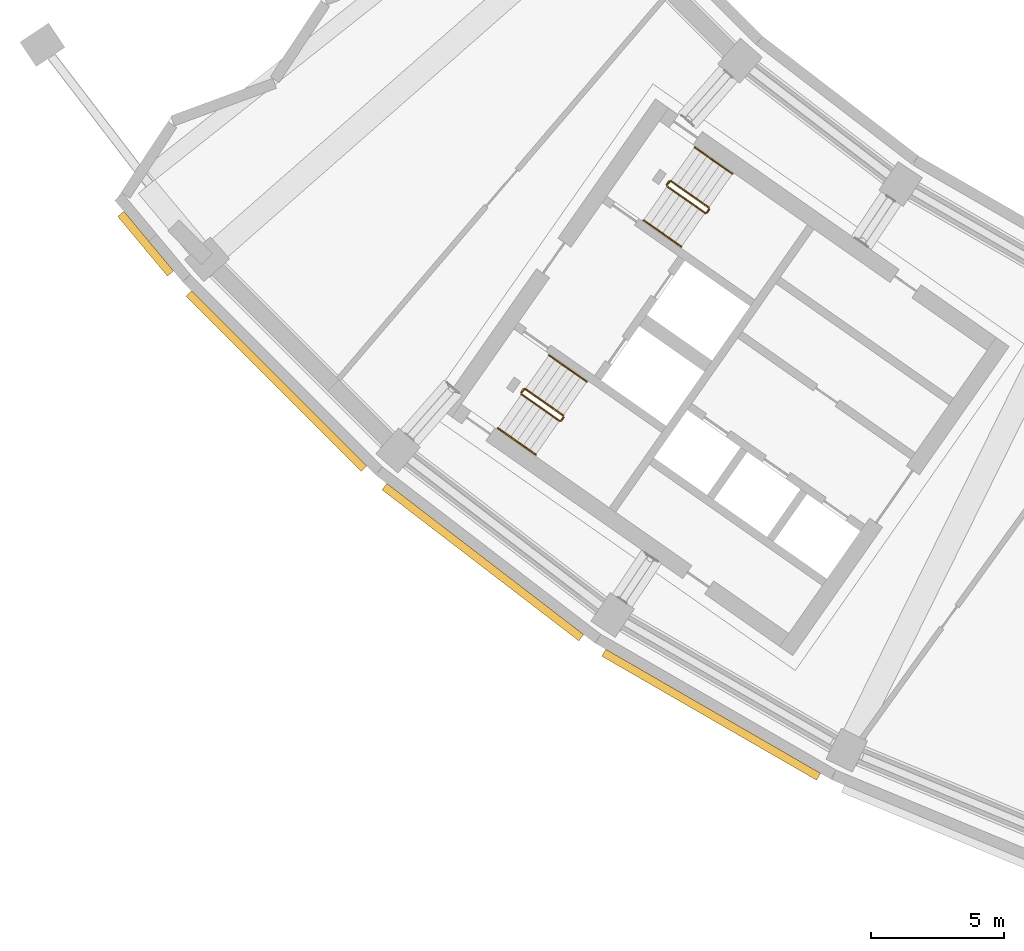
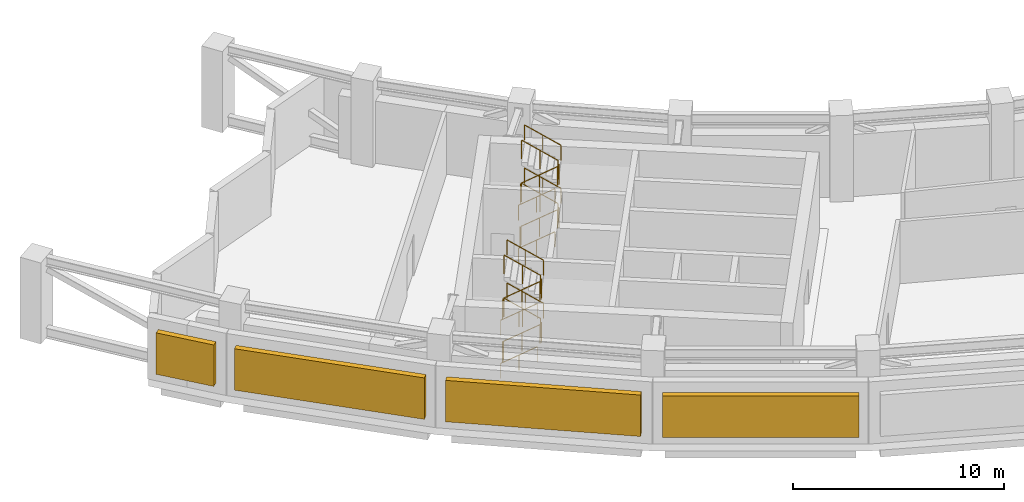
# One storey, part 21 of 24: 18 railings, 4 shading devices.
"""IFC4 building model written with IfcOpenShell, lengths in metres."""

from ifc_helpers import new_model, si_unit, direction, frame, origin, origin_2d, place, context, subcontext, project, spatial, rectangle, circle, extrude, material, type_object, element, save


model = new_model("IFC4")

# Units and contexts
model_context = context("Model", 3, precision=1e-05, world=origin(), true_north=direction((0.0, 1.0)))
body_context = subcontext(model_context, "Body", "Model", "MODEL_VIEW")
ifc_project = project(units=[si_unit("LENGTHUNIT", "METRE"), si_unit("AREAUNIT", "SQUARE_METRE"), si_unit("VOLUMEUNIT", "CUBIC_METRE"), si_unit("PLANEANGLEUNIT", "RADIAN"), si_unit("MASSUNIT", "GRAM", prefix="KILO")], contexts=[model_context])

# Site, building, storey
site_placement = place(None, origin())
site = spatial("IfcSite", under=ifc_project, at=site_placement, CompositionType="ELEMENT")
building_placement = place(site_placement, origin())
building = spatial("IfcBuilding", under=site, at=building_placement, Name="Qamariyya Broadcast Tower", CompositionType="ELEMENT")
storey_placement = place(building_placement, frame((0.0, 0.0, 198.699951171875)))
storey = spatial("IfcBuildingStorey", under=building, at=storey_placement, Name="L47", CompositionType="ELEMENT", Elevation=198.699951171875)

# Railings
ifc_material_1 = material(Name="Painted steel", Category="steel")
railing_type_1 = type_object("IfcRailingType", Name="Stair guard", PredefinedType="GUARDRAIL", material=ifc_material_1)
railing_1_placement = place(storey_placement, frame((-41.146728515625, -48.52490234375, 0.1787109375)))
element("IfcRailing", 1, at=railing_1_placement, inside=storey, type_object=railing_type_1, Name="L47 ST-W2 stair guard 1", PredefinedType="GUARDRAIL", context=body_context, shape_type="SweptSolid", body=[
    extrude(circle(Radius=0.02392578125, at=origin_2d()), frame((0.0, 0.0, 1.076171875), z_axis=(0.697532699334, -0.488440163562, 0.524284598266), x_axis=(0.573594173421, 0.819139624372, 0.0)), (0.0, 0.0, 1.0), 2.04345703125),
    extrude(circle(Radius=0.02392578125, at=origin_2d()), frame((1.42529296875, -0.998046875, 2.1474609375), z_axis=(0.984470095537, 0.175552359694, 0.0), x_axis=(-0.175552359694, 0.984470095537, 0.0)), (0.0, 0.0, 1.0), 0.071044921875),
    extrude(circle(Radius=0.02392578125, at=origin_2d()), frame((1.4951171875, -0.985595703125, 2.1474609375), z_axis=(0.573353020881, 0.819308436089, 0.0), x_axis=(-0.819308436089, 0.573353020881, 0.0)), (0.0, 0.0, 1.0), 0.14990234375),
    extrude(circle(Radius=0.02099609375, at=origin_2d()), origin(), (0.0, 0.0, 1.0), 1.052001953125),
    extrude(circle(Radius=0.02099609375, at=origin_2d()), frame((0.712646484375, -0.4990234375, 0.53564453125)), (0.0, 0.0, 1.0), 1.052001953125),
    extrude(circle(Radius=0.02099609375, at=origin_2d()), frame((1.42529296875, -0.998046875, 1.0712890625)), (0.0, 0.0, 1.0), 1.052001953125),
    extrude(circle(Radius=0.02099609375, at=origin_2d()), frame((1.4951171875, -0.985595703125, 1.0712890625)), (0.0, 0.0, 1.0), 1.052001953125),
    extrude(circle(Radius=0.02099609375, at=origin_2d()), frame((1.5810546875, -0.86279296875, 1.0712890625)), (0.0, 0.0, 1.0), 1.052001953125),
])
railing_2_placement = place(storey_placement, frame((-39.577880859375, -49.318115234375, 1.4287109375)))
element("IfcRailing", 2, at=railing_2_placement, inside=storey, type_object=railing_type_1, Name="L47 ST-W2 stair guard 2", PredefinedType="GUARDRAIL", context=body_context, shape_type="SweptSolid", body=[
    extrude(circle(Radius=0.02392578125, at=origin_2d()), frame((0.0, 0.0, 1.076171875), z_axis=(-0.697532699334, 0.488440163562, 0.524284598266), x_axis=(-0.573594173421, -0.819139624372, 0.0)), (0.0, 0.0, 1.0), 2.04345703125),
    extrude(circle(Radius=0.02392578125, at=origin_2d()), frame((-1.42529296875, 0.998046875, 2.1474609375), z_axis=(-0.755063954535, -0.655651145474, 0.0), x_axis=(0.655651145474, -0.755063954535, 0.0)), (0.0, 0.0, 1.0), 0.206298828125),
    extrude(circle(Radius=0.02392578125, at=origin_2d()), frame((-1.5810546875, 0.86279296875, 2.1474609375), z_axis=(0.572588637393, 0.819842821722, 0.0), x_axis=(-0.819842821722, 0.572588637393, 0.0)), (0.0, 0.0, 1.0), 0.150146484375),
    extrude(circle(Radius=0.02099609375, at=origin_2d()), origin(), (0.0, 0.0, 1.0), 1.052001953125),
    extrude(circle(Radius=0.02099609375, at=origin_2d()), frame((-0.712646484375, 0.4990234375, 0.53564453125)), (0.0, 0.0, 1.0), 1.052001953125),
    extrude(circle(Radius=0.02099609375, at=origin_2d()), frame((-1.42529296875, 0.998046875, 1.0712890625)), (0.0, 0.0, 1.0), 1.052001953125),
    extrude(circle(Radius=0.02099609375, at=origin_2d()), frame((-1.5810546875, 0.86279296875, 1.0712890625)), (0.0, 0.0, 1.0), 1.052001953125),
    extrude(circle(Radius=0.02099609375, at=origin_2d()), frame((-1.4951171875, 0.98583984375, 1.0712890625)), (0.0, 0.0, 1.0), 1.052001953125),
])
railing_3_placement = place(storey_placement, frame((-41.146728515625, -48.52490234375, 2.6787109375)))
element("IfcRailing", 3, at=railing_3_placement, inside=storey, type_object=railing_type_1, Name="L47 ST-W2 stair guard 3", PredefinedType="GUARDRAIL", context=body_context, shape_type="SweptSolid", body=[
    extrude(circle(Radius=0.02392578125, at=origin_2d()), frame((0.0, 0.0, 1.076171875), z_axis=(0.697532699334, -0.488440163562, 0.524284598266), x_axis=(0.573594173421, 0.819139624372, 0.0)), (0.0, 0.0, 1.0), 2.04345703125),
    extrude(circle(Radius=0.02392578125, at=origin_2d()), frame((1.42529296875, -0.998046875, 2.1474609375), z_axis=(0.984470095537, 0.175552359694, 0.0), x_axis=(-0.175552359694, 0.984470095537, 0.0)), (0.0, 0.0, 1.0), 0.071044921875),
    extrude(circle(Radius=0.02392578125, at=origin_2d()), frame((1.4951171875, -0.985595703125, 2.1474609375), z_axis=(0.573353020881, 0.819308436089, 0.0), x_axis=(-0.819308436089, 0.573353020881, 0.0)), (0.0, 0.0, 1.0), 0.14990234375),
    extrude(circle(Radius=0.02099609375, at=origin_2d()), origin(), (0.0, 0.0, 1.0), 1.052001953125),
    extrude(circle(Radius=0.02099609375, at=origin_2d()), frame((0.712646484375, -0.4990234375, 0.53564453125)), (0.0, 0.0, 1.0), 1.052001953125),
    extrude(circle(Radius=0.02099609375, at=origin_2d()), frame((1.42529296875, -0.998046875, 1.0712890625)), (0.0, 0.0, 1.0), 1.052001953125),
    extrude(circle(Radius=0.02099609375, at=origin_2d()), frame((1.4951171875, -0.985595703125, 1.0712890625)), (0.0, 0.0, 1.0), 1.052001953125),
    extrude(circle(Radius=0.02099609375, at=origin_2d()), frame((1.5810546875, -0.86279296875, 1.0712890625)), (0.0, 0.0, 1.0), 1.052001953125),
])
railing_4_placement = place(storey_placement, frame((-39.577880859375, -49.318115234375, 3.9287109375)))
element("IfcRailing", 4, at=railing_4_placement, inside=storey, type_object=railing_type_1, Name="L47 ST-W2 stair guard 4", PredefinedType="GUARDRAIL", context=body_context, shape_type="SweptSolid", body=[
    extrude(circle(Radius=0.02392578125, at=origin_2d()), frame((0.0, 0.0, 1.076171875), z_axis=(-0.697532699334, 0.488440163562, 0.524284598266), x_axis=(-0.573594173421, -0.819139624372, 0.0)), (0.0, 0.0, 1.0), 2.04345703125),
    extrude(circle(Radius=0.02099609375, at=origin_2d()), origin(), (0.0, 0.0, 1.0), 1.052001953125),
    extrude(circle(Radius=0.02099609375, at=origin_2d()), frame((-0.712646484375, 0.4990234375, 0.53564453125)), (0.0, 0.0, 1.0), 1.052001953125),
    extrude(circle(Radius=0.02099609375, at=origin_2d()), frame((-1.42529296875, 0.998046875, 1.0712890625)), (0.0, 0.0, 1.0), 1.052001953125),
])
railing_5_placement = place(storey_placement, frame((-41.158935546875, -48.455322265625, 0.0)))
element("IfcRailing", 5, at=railing_5_placement, inside=storey, type_object=railing_type_1, Name="L47 ST-W2 stair guard 5", PredefinedType="GUARDRAIL", context=body_context, shape_type="SweptSolid", body=[
    extrude(circle(Radius=0.02392578125, at=origin_2d()), frame((0.0, 0.0, 1.076171875), z_axis=(0.572588637393, 0.819842821722, 0.0), x_axis=(-0.819842821722, 0.572588637393, 0.0)), (0.0, 0.0, 1.0), 0.150146484375),
    extrude(circle(Radius=0.02099609375, at=origin_2d()), origin(), (0.0, 0.0, 1.0), 1.052001953125),
    extrude(circle(Radius=0.02099609375, at=origin_2d()), frame((0.0859375, 0.123046875, 0.0)), (0.0, 0.0, 1.0), 1.052001953125),
])
railing_6_placement = place(storey_placement, frame((-46.624267578125, -56.34765625, 0.1787109375)))
element("IfcRailing", 6, at=railing_6_placement, inside=storey, type_object=railing_type_1, Name="L47 ST-W1 stair guard 1", PredefinedType="GUARDRAIL", context=body_context, shape_type="SweptSolid", body=[
    extrude(circle(Radius=0.02392578125, at=origin_2d()), frame((0.0, 0.0, 1.076171875), z_axis=(0.697532699334, -0.488440163562, 0.524284598266), x_axis=(0.573594173421, 0.819139624372, 0.0)), (0.0, 0.0, 1.0), 2.04345703125),
    extrude(circle(Radius=0.02392578125, at=origin_2d()), frame((1.42529296875, -0.998046875, 2.1474609375), z_axis=(0.984957024646, 0.172799478008, 0.0), x_axis=(-0.172799478008, 0.984957024646, 0.0)), (0.0, 0.0, 1.0), 0.070556640625),
    extrude(circle(Radius=0.02392578125, at=origin_2d()), frame((1.494873046875, -0.98583984375, 2.1474609375), z_axis=(0.574444878118, 0.818543268254, 0.0), x_axis=(-0.818543268254, 0.574444878118, 0.0)), (0.0, 0.0, 1.0), 0.150146484375),
    extrude(circle(Radius=0.02099609375, at=origin_2d()), origin(), (0.0, 0.0, 1.0), 1.052001953125),
    extrude(circle(Radius=0.02099609375, at=origin_2d()), frame((0.712646484375, -0.4990234375, 0.53564453125)), (0.0, 0.0, 1.0), 1.052001953125),
    extrude(circle(Radius=0.02099609375, at=origin_2d()), frame((1.42529296875, -0.998046875, 1.0712890625)), (0.0, 0.0, 1.0), 1.052001953125),
    extrude(circle(Radius=0.02099609375, at=origin_2d()), frame((1.494873046875, -0.98583984375, 1.0712890625)), (0.0, 0.0, 1.0), 1.052001953125),
    extrude(circle(Radius=0.02099609375, at=origin_2d()), frame((1.5810546875, -0.863037109375, 1.0712890625)), (0.0, 0.0, 1.0), 1.052001953125),
])
railing_7_placement = place(storey_placement, frame((-45.0556640625, -57.14111328125, 1.4287109375)))
element("IfcRailing", 7, at=railing_7_placement, inside=storey, type_object=railing_type_1, Name="L47 ST-W1 stair guard 2", PredefinedType="GUARDRAIL", context=body_context, shape_type="SweptSolid", body=[
    extrude(circle(Radius=0.02392578125, at=origin_2d()), frame((0.0, 0.0, 1.076171875), z_axis=(-0.697532699334, 0.488440163562, 0.524284598266), x_axis=(-0.573594173421, -0.819139624372, 0.0)), (0.0, 0.0, 1.0), 2.04345703125),
    extrude(circle(Radius=0.02392578125, at=origin_2d()), frame((-1.42529296875, 0.998046875, 2.1474609375), z_axis=(-0.755650002112, -0.65497562879, 0.0), x_axis=(0.65497562879, -0.755650002112, 0.0)), (0.0, 0.0, 1.0), 0.2060546875),
    extrude(circle(Radius=0.02392578125, at=origin_2d()), frame((-1.5810546875, 0.863037109375, 2.1474609375), z_axis=(0.574444878118, 0.818543268254, 0.0), x_axis=(-0.818543268254, 0.574444878118, 0.0)), (0.0, 0.0, 1.0), 0.150146484375),
    extrude(circle(Radius=0.02099609375, at=origin_2d()), origin(), (0.0, 0.0, 1.0), 1.052001953125),
    extrude(circle(Radius=0.02099609375, at=origin_2d()), frame((-0.712646484375, 0.4990234375, 0.53564453125)), (0.0, 0.0, 1.0), 1.052001953125),
    extrude(circle(Radius=0.02099609375, at=origin_2d()), frame((-1.42529296875, 0.998046875, 1.0712890625)), (0.0, 0.0, 1.0), 1.052001953125),
    extrude(circle(Radius=0.02099609375, at=origin_2d()), frame((-1.5810546875, 0.863037109375, 1.0712890625)), (0.0, 0.0, 1.0), 1.052001953125),
    extrude(circle(Radius=0.02099609375, at=origin_2d()), frame((-1.494873046875, 0.98583984375, 1.0712890625)), (0.0, 0.0, 1.0), 1.052001953125),
])
railing_8_placement = place(storey_placement, frame((-46.624267578125, -56.34765625, 2.6787109375)))
element("IfcRailing", 8, at=railing_8_placement, inside=storey, type_object=railing_type_1, Name="L47 ST-W1 stair guard 3", PredefinedType="GUARDRAIL", context=body_context, shape_type="SweptSolid", body=[
    extrude(circle(Radius=0.02392578125, at=origin_2d()), frame((0.0, 0.0, 1.076171875), z_axis=(0.697532699334, -0.488440163562, 0.524284598266), x_axis=(0.573594173421, 0.819139624372, 0.0)), (0.0, 0.0, 1.0), 2.04345703125),
    extrude(circle(Radius=0.02392578125, at=origin_2d()), frame((1.42529296875, -0.998046875, 2.1474609375), z_axis=(0.984957024646, 0.172799478008, 0.0), x_axis=(-0.172799478008, 0.984957024646, 0.0)), (0.0, 0.0, 1.0), 0.070556640625),
    extrude(circle(Radius=0.02392578125, at=origin_2d()), frame((1.494873046875, -0.98583984375, 2.1474609375), z_axis=(0.574444878118, 0.818543268254, 0.0), x_axis=(-0.818543268254, 0.574444878118, 0.0)), (0.0, 0.0, 1.0), 0.150146484375),
    extrude(circle(Radius=0.02099609375, at=origin_2d()), origin(), (0.0, 0.0, 1.0), 1.052001953125),
    extrude(circle(Radius=0.02099609375, at=origin_2d()), frame((0.712646484375, -0.4990234375, 0.53564453125)), (0.0, 0.0, 1.0), 1.052001953125),
    extrude(circle(Radius=0.02099609375, at=origin_2d()), frame((1.42529296875, -0.998046875, 1.0712890625)), (0.0, 0.0, 1.0), 1.052001953125),
    extrude(circle(Radius=0.02099609375, at=origin_2d()), frame((1.494873046875, -0.98583984375, 1.0712890625)), (0.0, 0.0, 1.0), 1.052001953125),
    extrude(circle(Radius=0.02099609375, at=origin_2d()), frame((1.5810546875, -0.863037109375, 1.0712890625)), (0.0, 0.0, 1.0), 1.052001953125),
])
railing_9_placement = place(storey_placement, frame((-45.0556640625, -57.14111328125, 3.9287109375)))
element("IfcRailing", 9, at=railing_9_placement, inside=storey, type_object=railing_type_1, Name="L47 ST-W1 stair guard 4", PredefinedType="GUARDRAIL", context=body_context, shape_type="SweptSolid", body=[
    extrude(circle(Radius=0.02392578125, at=origin_2d()), frame((0.0, 0.0, 1.076171875), z_axis=(-0.697532699334, 0.488440163562, 0.524284598266), x_axis=(-0.573594173421, -0.819139624372, 0.0)), (0.0, 0.0, 1.0), 2.04345703125),
    extrude(circle(Radius=0.02099609375, at=origin_2d()), origin(), (0.0, 0.0, 1.0), 1.052001953125),
    extrude(circle(Radius=0.02099609375, at=origin_2d()), frame((-0.712646484375, 0.4990234375, 0.53564453125)), (0.0, 0.0, 1.0), 1.052001953125),
    extrude(circle(Radius=0.02099609375, at=origin_2d()), frame((-1.42529296875, 0.998046875, 1.0712890625)), (0.0, 0.0, 1.0), 1.052001953125),
])
railing_10_placement = place(storey_placement, frame((-46.63671875, -56.278076171875, 0.0)))
element("IfcRailing", 10, at=railing_10_placement, inside=storey, type_object=railing_type_1, Name="L47 ST-W1 stair guard 5", PredefinedType="GUARDRAIL", context=body_context, shape_type="SweptSolid", body=[
    extrude(circle(Radius=0.02392578125, at=origin_2d()), frame((0.0, 0.0, 1.076171875), z_axis=(0.574444878118, 0.818543268254, 0.0), x_axis=(-0.818543268254, 0.574444878118, 0.0)), (0.0, 0.0, 1.0), 0.150146484375),
    extrude(circle(Radius=0.02099609375, at=origin_2d()), origin(), (0.0, 0.0, 1.0), 1.052001953125),
    extrude(circle(Radius=0.02099609375, at=origin_2d()), frame((0.086181640625, 0.122802734375, 0.0)), (0.0, 0.0, 1.0), 1.052001953125),
])
ifc_material_2 = material(Name="Stainless steel", Category="steel")
railing_type_2 = type_object("IfcRailingType", Name="Stair handrail", PredefinedType="HANDRAIL", material=ifc_material_2)
railing_11_placement = place(storey_placement, frame((-42.03564453125, -49.79443359375, 0.1787109375)))
element("IfcRailing", 11, at=railing_11_placement, inside=storey, type_object=railing_type_2, Name="L47 ST-W2 stair handrail 1", PredefinedType="HANDRAIL", context=body_context, shape_type="SweptSolid", body=[
    extrude(circle(Radius=0.02392578125, at=origin_2d()), frame((0.0, 0.0, 0.8759765625), z_axis=(0.697532699334, -0.488440163562, 0.524284598266), x_axis=(0.573594173421, 0.819139624372, 0.0)), (0.0, 0.0, 1.0), 2.04345703125),
    extrude(circle(Radius=0.02099609375, at=origin_2d()), origin(), (0.0, 0.0, 1.0), 0.851806640625),
    extrude(circle(Radius=0.02099609375, at=origin_2d()), frame((0.712646484375, -0.4990234375, 0.53564453125)), (0.0, 0.0, 1.0), 0.851806640625),
    extrude(circle(Radius=0.02099609375, at=origin_2d()), frame((1.42529296875, -0.998046875, 1.0712890625)), (0.0, 0.0, 1.0), 0.851806640625),
])
railing_12_placement = place(storey_placement, frame((-38.68896484375, -48.04833984375, 1.4287109375)))
element("IfcRailing", 12, at=railing_12_placement, inside=storey, type_object=railing_type_2, Name="L47 ST-W2 stair handrail 2", PredefinedType="HANDRAIL", context=body_context, shape_type="SweptSolid", body=[
    extrude(circle(Radius=0.02392578125, at=origin_2d()), frame((0.0, 0.0, 0.8759765625), z_axis=(-0.697532699334, 0.488440163562, 0.524284598266), x_axis=(-0.573594173421, -0.819139624372, 0.0)), (0.0, 0.0, 1.0), 2.04345703125),
    extrude(circle(Radius=0.02099609375, at=origin_2d()), origin(), (0.0, 0.0, 1.0), 0.851806640625),
    extrude(circle(Radius=0.02099609375, at=origin_2d()), frame((-0.712646484375, 0.4990234375, 0.53564453125)), (0.0, 0.0, 1.0), 0.851806640625),
    extrude(circle(Radius=0.02099609375, at=origin_2d()), frame((-1.42529296875, 0.998046875, 1.0712890625)), (0.0, 0.0, 1.0), 0.851806640625),
])
railing_13_placement = place(storey_placement, frame((-42.03564453125, -49.79443359375, 2.6787109375)))
element("IfcRailing", 13, at=railing_13_placement, inside=storey, type_object=railing_type_2, Name="L47 ST-W2 stair handrail 3", PredefinedType="HANDRAIL", context=body_context, shape_type="SweptSolid", body=[
    extrude(circle(Radius=0.02392578125, at=origin_2d()), frame((0.0, 0.0, 0.8759765625), z_axis=(0.697532699334, -0.488440163562, 0.524284598266), x_axis=(0.573594173421, 0.819139624372, 0.0)), (0.0, 0.0, 1.0), 2.04345703125),
    extrude(circle(Radius=0.02099609375, at=origin_2d()), origin(), (0.0, 0.0, 1.0), 0.851806640625),
    extrude(circle(Radius=0.02099609375, at=origin_2d()), frame((0.712646484375, -0.4990234375, 0.53564453125)), (0.0, 0.0, 1.0), 0.851806640625),
    extrude(circle(Radius=0.02099609375, at=origin_2d()), frame((1.42529296875, -0.998046875, 1.0712890625)), (0.0, 0.0, 1.0), 0.851806640625),
])
railing_14_placement = place(storey_placement, frame((-38.68896484375, -48.04833984375, 3.9287109375)))
element("IfcRailing", 14, at=railing_14_placement, inside=storey, type_object=railing_type_2, Name="L47 ST-W2 stair handrail 4", PredefinedType="HANDRAIL", context=body_context, shape_type="SweptSolid", body=[
    extrude(circle(Radius=0.02392578125, at=origin_2d()), frame((0.0, 0.0, 0.8759765625), z_axis=(-0.697532699334, 0.488440163562, 0.524284598266), x_axis=(-0.573594173421, -0.819139624372, 0.0)), (0.0, 0.0, 1.0), 2.04345703125),
    extrude(circle(Radius=0.02099609375, at=origin_2d()), origin(), (0.0, 0.0, 1.0), 0.851806640625),
    extrude(circle(Radius=0.02099609375, at=origin_2d()), frame((-0.712646484375, 0.4990234375, 0.53564453125)), (0.0, 0.0, 1.0), 0.851806640625),
    extrude(circle(Radius=0.02099609375, at=origin_2d()), frame((-1.42529296875, 0.998046875, 1.0712890625)), (0.0, 0.0, 1.0), 0.851806640625),
])
railing_15_placement = place(storey_placement, frame((-47.513427734375, -57.617431640625, 0.1787109375)))
element("IfcRailing", 15, at=railing_15_placement, inside=storey, type_object=railing_type_2, Name="L47 ST-W1 stair handrail 1", PredefinedType="HANDRAIL", context=body_context, shape_type="SweptSolid", body=[
    extrude(circle(Radius=0.02392578125, at=origin_2d()), frame((0.0, 0.0, 0.8759765625), z_axis=(0.697532699334, -0.488440163562, 0.524284598266), x_axis=(0.573594173421, 0.819139624372, 0.0)), (0.0, 0.0, 1.0), 2.04345703125),
    extrude(circle(Radius=0.02099609375, at=origin_2d()), origin(), (0.0, 0.0, 1.0), 0.851806640625),
    extrude(circle(Radius=0.02099609375, at=origin_2d()), frame((0.712646484375, -0.4990234375, 0.53564453125)), (0.0, 0.0, 1.0), 0.851806640625),
    extrude(circle(Radius=0.02099609375, at=origin_2d()), frame((1.42529296875, -0.998046875, 1.0712890625)), (0.0, 0.0, 1.0), 0.851806640625),
])
railing_16_placement = place(storey_placement, frame((-44.16650390625, -55.871337890625, 1.4287109375)))
element("IfcRailing", 16, at=railing_16_placement, inside=storey, type_object=railing_type_2, Name="L47 ST-W1 stair handrail 2", PredefinedType="HANDRAIL", context=body_context, shape_type="SweptSolid", body=[
    extrude(circle(Radius=0.02392578125, at=origin_2d()), frame((0.0, 0.0, 0.8759765625), z_axis=(-0.697532699334, 0.488440163562, 0.524284598266), x_axis=(-0.573594173421, -0.819139624372, 0.0)), (0.0, 0.0, 1.0), 2.04345703125),
    extrude(circle(Radius=0.02099609375, at=origin_2d()), origin(), (0.0, 0.0, 1.0), 0.851806640625),
    extrude(circle(Radius=0.02099609375, at=origin_2d()), frame((-0.712646484375, 0.4990234375, 0.53564453125)), (0.0, 0.0, 1.0), 0.851806640625),
    extrude(circle(Radius=0.02099609375, at=origin_2d()), frame((-1.42529296875, 0.998046875, 1.0712890625)), (0.0, 0.0, 1.0), 0.851806640625),
])
railing_17_placement = place(storey_placement, frame((-47.513427734375, -57.617431640625, 2.6787109375)))
element("IfcRailing", 17, at=railing_17_placement, inside=storey, type_object=railing_type_2, Name="L47 ST-W1 stair handrail 3", PredefinedType="HANDRAIL", context=body_context, shape_type="SweptSolid", body=[
    extrude(circle(Radius=0.02392578125, at=origin_2d()), frame((0.0, 0.0, 0.8759765625), z_axis=(0.697532699334, -0.488440163562, 0.524284598266), x_axis=(0.573594173421, 0.819139624372, 0.0)), (0.0, 0.0, 1.0), 2.04345703125),
    extrude(circle(Radius=0.02099609375, at=origin_2d()), origin(), (0.0, 0.0, 1.0), 0.851806640625),
    extrude(circle(Radius=0.02099609375, at=origin_2d()), frame((0.712646484375, -0.4990234375, 0.53564453125)), (0.0, 0.0, 1.0), 0.851806640625),
    extrude(circle(Radius=0.02099609375, at=origin_2d()), frame((1.42529296875, -0.998046875, 1.0712890625)), (0.0, 0.0, 1.0), 0.851806640625),
])
railing_18_placement = place(storey_placement, frame((-44.16650390625, -55.871337890625, 3.9287109375)))
element("IfcRailing", 18, at=railing_18_placement, inside=storey, type_object=railing_type_2, Name="L47 ST-W1 stair handrail 4", PredefinedType="HANDRAIL", context=body_context, shape_type="SweptSolid", body=[
    extrude(circle(Radius=0.02392578125, at=origin_2d()), frame((0.0, 0.0, 0.8759765625), z_axis=(-0.697532699334, 0.488440163562, 0.524284598266), x_axis=(-0.573594173421, -0.819139624372, 0.0)), (0.0, 0.0, 1.0), 2.04345703125),
    extrude(circle(Radius=0.02099609375, at=origin_2d()), origin(), (0.0, 0.0, 1.0), 0.851806640625),
    extrude(circle(Radius=0.02099609375, at=origin_2d()), frame((-0.712646484375, 0.4990234375, 0.53564453125)), (0.0, 0.0, 1.0), 0.851806640625),
    extrude(circle(Radius=0.02099609375, at=origin_2d()), frame((-1.42529296875, 0.998046875, 1.0712890625)), (0.0, 0.0, 1.0), 0.851806640625),
])

# Shading devices
ifc_material_3 = material(Name="Glazed terracotta", Category="masonry")
shading_device_type = type_object("IfcShadingDeviceType", Name="Terracotta louvre bank", PredefinedType="USERDEFINED", material=ifc_material_3)
shading_device_placement = place(storey_placement, frame((-60.765869140625, -50.679443359375, 0.60009765625), z_axis=(0.0, 0.0, 1.0), x_axis=(0.640491505973, -0.767965253626, 0.0)))
element("IfcShadingDevice", 19, at=shading_device_placement, inside=storey, type_object=shading_device_type, Name="e-lv-L47-00", ObjectType="LOUVRE", PredefinedType="USERDEFINED", context=body_context, shape_type="SweptSolid", body=[
    extrude(rectangle(XDim=2.919677734375, YDim=0.300048828125, at=origin_2d()), origin(), (0.0, 0.0, 1.0), 2.39990234375),
])
for number, where, z_axis, x_axis, name in (
    (20, (-55.847900390625, -55.847900390625, 0.60009765625), (0.0, 0.0, 1.0), (0.707106781187, -0.707106781187, 0.0), "e-lv-L47-01"),
    (21, (-48.08056640625, -62.65966796875, 0.60009765625), (0.0, 0.0, 1.0), (0.793353340291, -0.608761429009, 0.0), "e-lv-L47-02"),
    (22, (-39.490478515625, -68.3994140625, 0.60009765625), (0.0, 0.0, 1.0), (0.866025403784, -0.5, 0.0), "e-lv-L47-03"),
):
    element("IfcShadingDevice", number, at=place(storey_placement, frame(where, z_axis=z_axis, x_axis=x_axis)), inside=storey, type_object=shading_device_type, Name=name, ObjectType="LOUVRE", PredefinedType="USERDEFINED", context=body_context, shape_type="SweptSolid", body=[
        extrude(rectangle(XDim=9.333740234375, YDim=0.300048828125, at=origin_2d()), origin(), (0.0, 0.0, 1.0), 2.39990234375),
    ])

save(model, "model.ifc")
